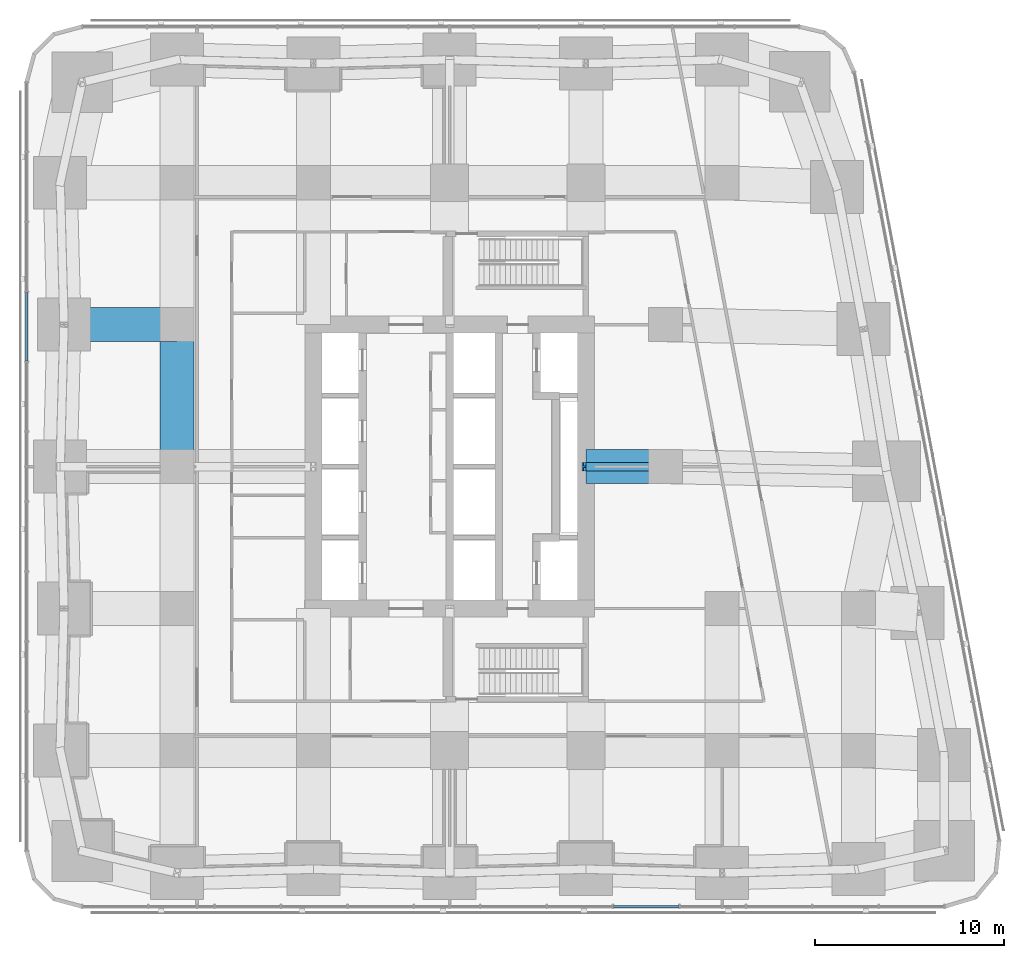
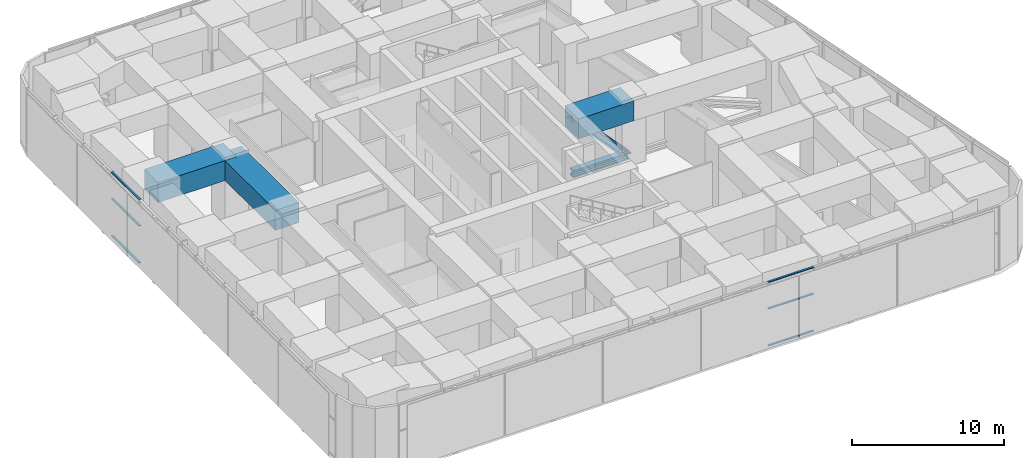
# One storey, part 4 of 20: 8 members, 3 beams, 2 elements without a shape of their own.
"""IFC4 building model written with IfcOpenShell, lengths in metres."""

import ifcopenshell
import ifcopenshell.guid

model = None  # the IFC model being written
_history = None  # IfcOwnerHistory: only IFC2X3 demands one
_inside = {}  # id of a spatial element -> (the spatial element, [elements in it])
_under = {}  # id of a project, library or spatial element -> (it, [spatial elements below it])
_declared = {}  # id of a project -> (the project, [libraries it declares])
_typed = {}  # id of a type object -> (the type object, [elements of that type])
_made_of = {}  # id of a material, layer set ... -> (it, [elements and type objects made of it])


def new_model(schema):
    """Start an empty IFC model of exactly this schema.

    Asked for "IFC4X3", IfcOpenShell would pick the latest addendum, in which some entities
    have other attributes; the version numbers below select the first issue.
    IFC2X3 requires an IfcOwnerHistory on every rooted entity: one is made here for all.
    """
    global model, _history
    if schema == "IFC4X3":
        model = ifcopenshell.file(schema_version=(4, 3, 0, 0))
    else:
        model = ifcopenshell.file(schema=schema)
    _inside.clear()
    _under.clear()
    _declared.clear()
    _typed.clear()
    _made_of.clear()
    _history = None
    if model.schema == "IFC2X3":
        org = make("IfcOrganization", Name="unknown")
        user = make(
            "IfcPersonAndOrganization",
            ThePerson=make("IfcPerson", FamilyName="unknown"),
            TheOrganization=org,
        )
        app = make(
            "IfcApplication",
            ApplicationDeveloper=org,
            Version="unknown",
            ApplicationFullName="unknown",
            ApplicationIdentifier="unknown",
        )
        _history = make(
            "IfcOwnerHistory",
            OwningUser=user,
            OwningApplication=app,
            ChangeAction="ADDED",
            CreationDate=0,
        )
    return model


def make(cls, **values):
    """One entity of the class cls with the attributes given. An attribute that is None is left unset."""
    return model.create_entity(
        cls, **{name: value for name, value in values.items() if value is not None}
    )


def rooted(cls, **values):
    """An entity with a GlobalId (a new one), such as an element, a storey or a relation."""
    return make(cls, GlobalId=ifcopenshell.guid.new(), OwnerHistory=_history, **values)


def si_unit(unit_type, name, prefix=None):
    """IfcSIUnit, for example si_unit("LENGTHUNIT", "METRE", prefix="MILLI")."""
    return make("IfcSIUnit", UnitType=unit_type, Prefix=prefix, Name=name)


def assignment(units):
    """IfcUnitAssignment: the units of a project."""
    return None if units is None else make("IfcUnitAssignment", Units=units)


def point(xyz):
    """IfcCartesianPoint."""
    return None if xyz is None else make("IfcCartesianPoint", Coordinates=xyz)


def direction(xyz):
    """IfcDirection."""
    return None if xyz is None else make("IfcDirection", DirectionRatios=xyz)


def frame(location, z_axis=None, x_axis=None):
    """IfcAxis2Placement3D, a coordinate frame: its origin and axes. An axis left out is left unset."""
    return make(
        "IfcAxis2Placement3D",
        Location=point(location),
        Axis=direction(z_axis),
        RefDirection=direction(x_axis),
    )


def frame_2d(location, x_axis=None):
    """IfcAxis2Placement2D, a coordinate frame in the plane: its origin and x axis."""
    return make(
        "IfcAxis2Placement2D", Location=point(location), RefDirection=direction(x_axis)
    )


def origin():
    """The frame at (0, 0, 0) with its axes left unset."""
    return frame((0.0, 0.0, 0.0))


def origin_2d():
    """The frame at (0, 0) in the plane with its x axis left unset."""
    return frame_2d((0.0, 0.0))


def place(relative_to, where):
    """IfcLocalPlacement: puts the frame where relative to a parent placement (None: the world)."""
    return make(
        "IfcLocalPlacement", PlacementRelTo=relative_to, RelativePlacement=where
    )


def context(
    kind, dimensions, precision=None, world=None, true_north=None, identifier=None
):
    """IfcGeometricRepresentationContext, for example the 3D "Model" context."""
    return make(
        "IfcGeometricRepresentationContext",
        ContextIdentifier=identifier,
        ContextType=kind,
        CoordinateSpaceDimension=dimensions,
        Precision=precision,
        WorldCoordinateSystem=world,
        TrueNorth=true_north,
    )


def subcontext(parent, identifier, kind, view, scale=None):
    """IfcGeometricRepresentationSubContext, for example "Body" below "Model"."""
    return make(
        "IfcGeometricRepresentationSubContext",
        ContextIdentifier=identifier,
        ContextType=kind,
        ParentContext=parent,
        TargetScale=scale,
        TargetView=view,
    )


def project(units=None, contexts=None):
    """IfcProject with its units and contexts."""
    return rooted(
        "IfcProject",
        Name="project",
        RepresentationContexts=contexts,
        UnitsInContext=assignment(units),
    )


def spatial(cls, under=None, at=None, **own):
    """A site, building, storey or space (cls), placed at a placement, below another one or the project."""
    s = rooted(cls, ObjectPlacement=at, **own)
    if under is not None:
        _under.setdefault(under.id(), (under, []))[1].append(s)
    return s


def profile(cls, at=None, kind="AREA", **sizes):
    """A parametric profile (cls). Its sizes go by their IFC names, for example OverallWidth=200.0."""
    return make(cls, ProfileType=kind, Position=at, **sizes)


def rectangle(**sizes):
    """IfcRectangleProfileDef."""
    return profile("IfcRectangleProfileDef", **sizes)


def i_section(**sizes):
    """IfcIShapeProfileDef."""
    return profile("IfcIShapeProfileDef", **sizes)


def extrude(swept, where, along, depth):
    """IfcExtrudedAreaSolid: the profile swept, set in the frame where, extruded along a direction by depth."""
    return make(
        "IfcExtrudedAreaSolid",
        SweptArea=swept,
        Position=where,
        ExtrudedDirection=direction(along),
        Depth=depth,
    )


def shape(context_of_items, identifier, shape_type, items):
    """IfcShapeRepresentation: the items that make up one representation, for example the "Body"."""
    return make(
        "IfcShapeRepresentation",
        ContextOfItems=context_of_items,
        RepresentationIdentifier=identifier,
        RepresentationType=shape_type,
        Items=items,
    )


def material(Name=None, Category=None):
    """IfcMaterial."""
    return make("IfcMaterial", Name=Name, Category=Category)


def material_profile(
    of_material, cross_section, Name=None, Category=None, Priority=None
):
    """IfcMaterialProfile: a cross section and its material."""
    return make(
        "IfcMaterialProfile",
        Name=Name,
        Material=of_material,
        Profile=cross_section,
        Priority=Priority,
        Category=Category,
    )


def profile_set(profiles, Name=None, composite=None):
    """IfcMaterialProfileSet."""
    return make(
        "IfcMaterialProfileSet",
        Name=Name,
        MaterialProfiles=profiles,
        CompositeProfile=composite,
    )


def made_of(thing, what):
    """Note that an element or type object is made of a material, layer set ...; save() writes the relation."""
    if what is not None:
        _made_of.setdefault(what.id(), (what, []))[1].append(thing)
    return thing


def type_object(cls, material=None, **own):
    """A type object (cls), such as IfcWallType, which elements share."""
    return made_of(rooted(cls, **own), material)


def element(
    cls,
    number,
    at=None,
    inside=None,
    cuts=None,
    type_object=None,
    material=None,
    context=None,
    identifier="Body",
    shape_type=None,
    held_by="IfcProductDefinitionShape",
    body=None,
    shapes=None,
    **own,
):
    """One element of the class cls, such as IfcWall. Its Tag is "e" and its number.

    at: its placement. inside: the storey or other place that contains it. cuts: it is an
    opening in that element (IfcRelVoidsElement). A single representation is given by context,
    identifier, shape_type and body (its items); several are given by shapes. held_by: the class
    of the entity that holds the representations. save() writes the other relations.
    """
    e = rooted(cls, Tag="e%d" % number, ObjectPlacement=at, **own)
    if body is not None:
        shapes = [shape(context, identifier, shape_type, body)]
    if shapes is not None:
        e.Representation = make(held_by, Representations=shapes)
    if inside is not None:
        _inside.setdefault(inside.id(), (inside, []))[1].append(e)
    if cuts is not None:
        rooted(
            "IfcRelVoidsElement", RelatingBuildingElement=cuts, RelatedOpeningElement=e
        )
    if type_object is not None:
        _typed.setdefault(type_object.id(), (type_object, []))[1].append(e)
    return made_of(e, material)


def aggregate(whole, parts):
    """IfcRelAggregates: a whole, such as a stair, and the parts it consists of."""
    return rooted("IfcRelAggregates", RelatingObject=whole, RelatedObjects=parts)


def save(model, path):
    """Write the relations noted so far, then the file.

    IfcRelAggregates (storeys below a building ...), IfcRelContainedInSpatialStructure (elements
    in a storey), IfcRelDefinesByType, IfcRelAssociatesMaterial and IfcRelDeclares: one each for
    every whole, place, type object, material and project.
    """
    for whole, parts in _under.values():
        aggregate(whole, parts)
    for where, things in _inside.values():
        rooted(
            "IfcRelContainedInSpatialStructure",
            RelatedElements=things,
            RelatingStructure=where,
        )
    for kind, things in _typed.values():
        rooted("IfcRelDefinesByType", RelatedObjects=things, RelatingType=kind)
    for what, things in _made_of.values():
        rooted("IfcRelAssociatesMaterial", RelatedObjects=things, RelatingMaterial=what)
    for by, libraries in _declared.values():
        rooted("IfcRelDeclares", RelatingContext=by, RelatedDefinitions=libraries)
    model.write(path)


model = new_model("IFC4")

# Units and contexts
model_context = context("Model", 3, precision=1e-05, world=origin(), true_north=direction((0.0, 1.0)))
body_context = subcontext(model_context, "Body", "Model", "MODEL_VIEW")
ifc_project = project(units=[si_unit("LENGTHUNIT", "METRE"), si_unit("AREAUNIT", "SQUARE_METRE"), si_unit("VOLUMEUNIT", "CUBIC_METRE"), si_unit("PLANEANGLEUNIT", "RADIAN"), si_unit("MASSUNIT", "GRAM", prefix="KILO")], contexts=[model_context])

# Site, building, storey
site_placement = place(None, origin())
site = spatial("IfcSite", under=ifc_project, at=site_placement, CompositionType="ELEMENT")
building_placement = place(site_placement, origin())
building = spatial("IfcBuilding", under=site, at=building_placement, Name="Sheger Commons Tower", CompositionType="ELEMENT")
storey_placement = place(building_placement, frame((0.0, 0.0, 72.5)))
storey = spatial("IfcBuildingStorey", under=building, at=storey_placement, Name="L18", CompositionType="ELEMENT", Elevation=72.5)

# Beams
ifc_material_1 = material(Name="Concrete C50/60", Category="concrete")
ifc_material_profile_1 = material_profile(ifc_material_1, rectangle(XDim=1.800048828125, YDim=1.60009765625, at=origin_2d()), Name="RC 1800x1600")
ifc_profile_set_1 = profile_set([ifc_material_profile_1], Name="Concrete C50/60")
beam_type = type_object("IfcBeamType", Name="BEAM RC 1800x1600", PredefinedType="BEAM", material=ifc_profile_set_1)
beam_1_placement = place(storey_placement, frame((28.800048828125, 22.5, 4.35009765625), z_axis=(1.0, 0.0, 0.0), x_axis=(0.0, 1.0, 0.0)))
element("IfcBeam", 1, at=beam_1_placement, inside=storey, type_object=beam_type, Name="Beam 5/D-6-3000/D under L19", PredefinedType="BEAM", context=body_context, shape_type="SweptSolid", body=[
    extrude(rectangle(XDim=1.800048828125, YDim=1.60009765625, at=origin_2d()), origin(), (0.0, 0.0, 1.0), 4.199951171875),
])
beam_2_placement = place(storey_placement, frame((1.22509765625, 30.0, 4.35009765625), z_axis=(1.0, 0.0, 0.0), x_axis=(0.0, 1.0, 0.0)))
element("IfcBeam", 2, at=beam_2_placement, inside=storey, type_object=beam_type, Name="Beam 1/E-2/E under L19", PredefinedType="BEAM", context=body_context, shape_type="SweptSolid", body=[
    extrude(rectangle(XDim=1.800048828125, YDim=1.60009765625, at=origin_2d()), origin(), (0.0, 0.0, 1.0), 5.974853515625),
])
beam_3_placement = place(storey_placement, frame((7.199951171875, 22.5, 4.35009765625), z_axis=(0.0, 1.0, 0.0), x_axis=(-1.0, 0.0, 0.0)))
element("IfcBeam", 3, at=beam_3_placement, inside=storey, type_object=beam_type, Name="Beam 2/D-2/E under L19", PredefinedType="BEAM", context=body_context, shape_type="SweptSolid", body=[
    extrude(rectangle(XDim=1.800048828125, YDim=1.60009765625, at=origin_2d()), origin(), (0.0, 0.0, 1.0), 7.5),
])

# Members
ifc_material_2 = material(Name="Steel S460", Category="steel")
ifc_material_profile_2 = material_profile(ifc_material_2, i_section(OverallWidth=0.4541015625, OverallDepth=0.569091796875, WebThickness=0.077880859375, FlangeThickness=0.125, at=origin_2d()), Name="HD 400x1086")
ifc_profile_set_2 = profile_set([ifc_material_profile_2], Name="Steel S460")
member_type_1 = type_object("IfcMemberType", Name="BRACE HD 400x1086", PredefinedType="BRACE", material=ifc_profile_set_2)
member_1_placement = place(storey_placement, frame((28.800048828125, 22.5, 4.85009765625), z_axis=(0.678271914864, 0.0, -0.734811002576), x_axis=(0.0, 1.0, 0.0)))
element("IfcMember", 4, at=member_1_placement, inside=storey, type_object=member_type_1, Name="Outrigger E diagonal 1", PredefinedType="BRACE", context=body_context, shape_type="SweptSolid", body=[
    extrude(i_section(OverallWidth=0.4541015625, OverallDepth=0.569091796875, WebThickness=0.077880859375, FlangeThickness=0.125, at=origin_2d()), origin(), (0.0, 0.0, 1.0), 6.192138671875),
])
ifc_material_3 = material(Name="Steel S460", Category="steel")
ifc_material_profile_3 = material_profile(ifc_material_3, i_section(OverallWidth=0.4541015625, OverallDepth=0.569091796875, WebThickness=0.077880859375, FlangeThickness=0.125, at=origin_2d()), Name="HD 400x1086")
ifc_profile_set_3 = profile_set([ifc_material_profile_3], Name="Steel S460")
member_type_2 = type_object("IfcMemberType", Name="CHORD HD 400x1086", PredefinedType="CHORD", material=ifc_profile_set_3)
member_2_placement = place(storey_placement, frame((28.800048828125, 22.5, 0.300048828125), z_axis=(1.0, 0.0, 0.0), x_axis=(0.0, 1.0, 0.0)))
element("IfcMember", 5, at=member_2_placement, inside=storey, type_object=member_type_2, Name="Outrigger E bottom chord 5/D-6-3000/D", PredefinedType="CHORD", context=body_context, shape_type="SweptSolid", body=[
    extrude(i_section(OverallWidth=0.4541015625, OverallDepth=0.569091796875, WebThickness=0.077880859375, FlangeThickness=0.125, at=origin_2d()), origin(), (0.0, 0.0, 1.0), 4.199951171875),
])

# Curtain wall, members
ifc_material_4 = material(Name="Black aluminium curtain wall, dark tinted glazing", Category="aluminium")
curtain_wall_type = type_object("IfcCurtainWallType", Name="CURTAIN WALL CW3 SKY FLOOR", PredefinedType="USERDEFINED", material=ifc_material_4)
curtain_wall_1_placement = place(storey_placement, origin())
curtain_wall_1 = element("IfcCurtainWall", 6, at=curtain_wall_1_placement, inside=storey, type_object=curtain_wall_type, Name="Curtain Wall Cw3 Sky Floor S1 L18", ObjectType="UNITISED CURTAIN WALL", PredefinedType="USERDEFINED")
ifc_material_5 = material(Name="Black anodised aluminium", Category="aluminium")
ifc_material_profile_4 = material_profile(ifc_material_5, rectangle(XDim=0.14990234375, YDim=0.06494140625, at=origin_2d()), Name="AL 65x150")
ifc_profile_set_4 = profile_set([ifc_material_profile_4], Name="Black anodised aluminium")
member_type_3 = type_object("IfcMemberType", Name="TRANSOM AL 65x150", PredefinedType="USERDEFINED", material=ifc_profile_set_4)
member_3_placement = place(storey_placement, frame((30.2744140625, -0.75, 0.032470703125), z_axis=(1.0, 0.0, 0.0), x_axis=(0.0, 1.0, 0.0)))
member_3 = element("IfcMember", 7, at=member_3_placement, type_object=member_type_3, Name="CW3 transom 11.1", ObjectType="TRANSOM", PredefinedType="USERDEFINED", context=body_context, shape_type="SweptSolid", body=[
    extrude(rectangle(XDim=0.14990234375, YDim=0.06494140625, at=origin_2d()), origin(), (0.0, 0.0, 1.0), 3.445068359375),
])
member_4_placement = place(storey_placement, frame((30.2744140625, -0.75, 3.0), z_axis=(1.0, 0.0, 0.0), x_axis=(0.0, 1.0, 0.0)))
member_4 = element("IfcMember", 8, at=member_4_placement, type_object=member_type_3, Name="CW3 transom 11.2", ObjectType="TRANSOM", PredefinedType="USERDEFINED", context=body_context, shape_type="SweptSolid", body=[
    extrude(rectangle(XDim=0.14990234375, YDim=0.06494140625, at=origin_2d()), origin(), (0.0, 0.0, 1.0), 3.445068359375),
])
member_5_placement = place(storey_placement, frame((30.2744140625, -0.75, 5.117431640625), z_axis=(1.0, 0.0, 0.0), x_axis=(0.0, 1.0, 0.0)))
member_5 = element("IfcMember", 9, at=member_5_placement, type_object=member_type_3, Name="CW3 transom 11.3", ObjectType="TRANSOM", PredefinedType="USERDEFINED", context=body_context, shape_type="SweptSolid", body=[
    extrude(rectangle(XDim=0.14990234375, YDim=0.06494140625, at=origin_2d()), origin(), (0.0, 0.0, 1.0), 3.445068359375),
])
aggregate(curtain_wall_1, [member_3, member_4, member_5])

curtain_wall_2_placement = place(storey_placement, origin())
curtain_wall_2 = element("IfcCurtainWall", 10, at=curtain_wall_2_placement, inside=storey, type_object=curtain_wall_type, Name="Curtain Wall Cw3 Sky Floor W1 L18", ObjectType="UNITISED CURTAIN WALL", PredefinedType="USERDEFINED")
member_6_placement = place(storey_placement, frame((-0.75, 31.71142578125, 0.032470703125), z_axis=(0.0, -1.0, 0.0), x_axis=(1.0, 0.0, 0.0)))
member_6 = element("IfcMember", 11, at=member_6_placement, type_object=member_type_3, Name="CW3 transom 4.1", ObjectType="TRANSOM", PredefinedType="USERDEFINED", context=body_context, shape_type="SweptSolid", body=[
    extrude(rectangle(XDim=0.14990234375, YDim=0.06494140625, at=origin_2d()), origin(), (0.0, 0.0, 1.0), 3.6328125),
])
member_7_placement = place(storey_placement, frame((-0.75, 31.71142578125, 3.0), z_axis=(0.0, -1.0, 0.0), x_axis=(1.0, 0.0, 0.0)))
member_7 = element("IfcMember", 12, at=member_7_placement, type_object=member_type_3, Name="CW3 transom 4.2", ObjectType="TRANSOM", PredefinedType="USERDEFINED", context=body_context, shape_type="SweptSolid", body=[
    extrude(rectangle(XDim=0.14990234375, YDim=0.06494140625, at=origin_2d()), origin(), (0.0, 0.0, 1.0), 3.6328125),
])
member_8_placement = place(storey_placement, frame((-0.75, 31.71142578125, 5.117431640625), z_axis=(0.0, -1.0, 0.0), x_axis=(1.0, 0.0, 0.0)))
member_8 = element("IfcMember", 13, at=member_8_placement, type_object=member_type_3, Name="CW3 transom 4.3", ObjectType="TRANSOM", PredefinedType="USERDEFINED", context=body_context, shape_type="SweptSolid", body=[
    extrude(rectangle(XDim=0.14990234375, YDim=0.06494140625, at=origin_2d()), origin(), (0.0, 0.0, 1.0), 3.6328125),
])
aggregate(curtain_wall_2, [member_6, member_7, member_8])

save(model, "model.ifc")
